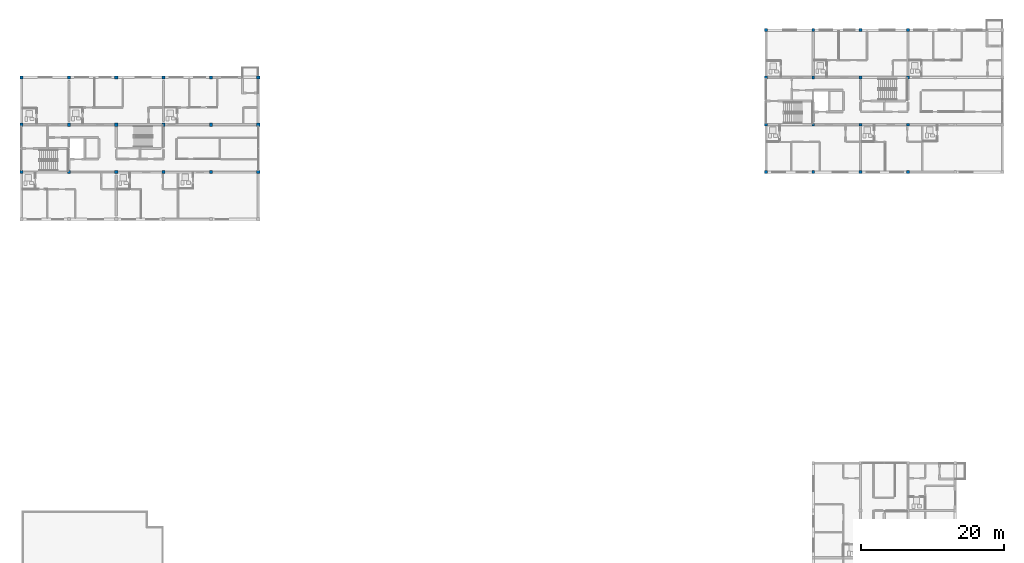
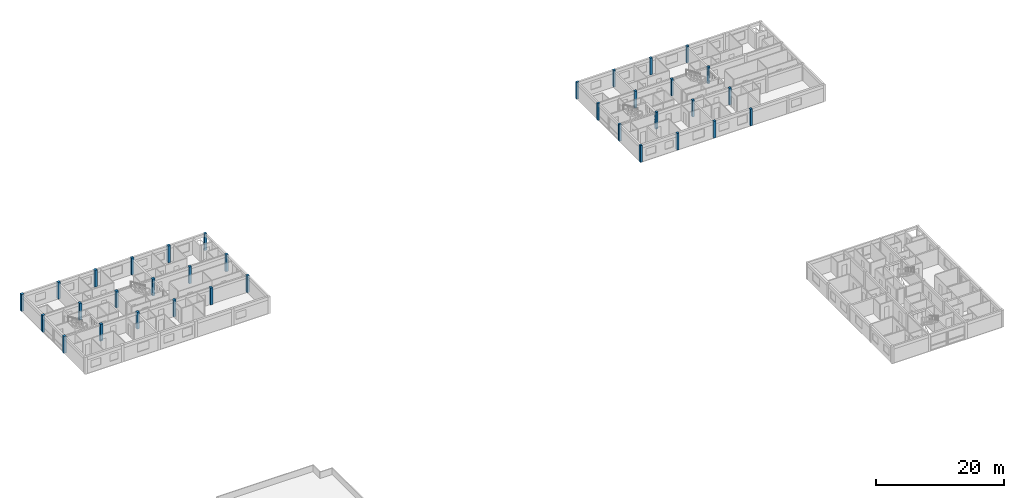
# One storey, part 2 of 34: 34 columns.
"""IFC4 building model written with IfcOpenShell, lengths in metres."""

from ifc_helpers import new_model, si_unit, direction, frame, origin, origin_2d, place, context, subcontext, project, spatial, rectangle, extrude, material, material_profile, profile_set, type_object, element, save


model = new_model("IFC4")

# Units and contexts
model_context = context("Model", 3, precision=1e-05, world=origin(), true_north=direction((0.0, 1.0)))
body_context = subcontext(model_context, "Body", "Model", "MODEL_VIEW")
ifc_project = project(units=[si_unit("LENGTHUNIT", "METRE"), si_unit("AREAUNIT", "SQUARE_METRE"), si_unit("VOLUMEUNIT", "CUBIC_METRE"), si_unit("PLANEANGLEUNIT", "RADIAN"), si_unit("MASSUNIT", "GRAM", prefix="KILO")], contexts=[model_context])

# Site, building, storey
site_placement = place(None, origin())
site = spatial("IfcSite", under=ifc_project, at=site_placement, CompositionType="ELEMENT")
building_placement = place(site_placement, origin())
building = spatial("IfcBuilding", under=site, at=building_placement, Name="Kernevlak Ridge Housing Community", CompositionType="ELEMENT")
storey_placement = place(building_placement, frame((0.0, 0.0, 34.0)))
storey = spatial("IfcBuildingStorey", under=building, at=storey_placement, Name="L10", CompositionType="ELEMENT", Elevation=34.0)

# Columns
ifc_material = material(Name="Concrete C35/45", Category="concrete")
ifc_material_profile_1 = material_profile(ifc_material, rectangle(XDim=0.449951171875, YDim=0.449951171875, at=origin_2d()), Name="RC 450x450")
ifc_profile_set_1 = profile_set([ifc_material_profile_1], Name="Concrete C35/45")
column_type_1 = type_object("IfcColumnType", Name="C-04", PredefinedType="COLUMN", material=ifc_profile_set_1)
for number, where, z_axis, x_axis, name in (
    (1, (15.60009765625, 82.60009765625, 0.0), (0.0, 0.0, 1.0), (1.0, 0.0, 0.0), "Column C-04 COL-A-L10-00-1"),
    (2, (15.60009765625, 89.199951171875, 0.0), (0.0, 0.0, 1.0), (1.0, 0.0, 0.0), "Column C-04 COL-A-L10-00-2"),
    (3, (15.60009765625, 95.800048828125, 0.0), (0.0, 0.0, 1.0), (1.0, 0.0, 0.0), "Column C-04 COL-A-L10-00-3"),
    (4, (22.199951171875, 82.60009765625, 0.0), (0.0, 0.0, 1.0), (1.0, 0.0, 0.0), "Column C-04 COL-A-L10-01-1"),
    (5, (22.199951171875, 89.199951171875, 0.0), (0.0, 0.0, 1.0), (1.0, 0.0, 0.0), "Column C-04 COL-A-L10-01-2"),
    (6, (22.199951171875, 95.800048828125, 0.0), (0.0, 0.0, 1.0), (1.0, 0.0, 0.0), "Column C-04 COL-A-L10-01-3"),
    (7, (28.800048828125, 82.60009765625, 0.0), (0.0, 0.0, 1.0), (1.0, 0.0, 0.0), "Column C-04 COL-A-L10-02-1"),
    (8, (28.800048828125, 89.199951171875, 0.0), (0.0, 0.0, 1.0), (1.0, 0.0, 0.0), "Column C-04 COL-A-L10-02-2"),
    (9, (28.800048828125, 95.800048828125, 0.0), (0.0, 0.0, 1.0), (1.0, 0.0, 0.0), "Column C-04 COL-A-L10-02-3"),
    (10, (35.39990234375, 82.60009765625, 0.0), (0.0, 0.0, 1.0), (1.0, 0.0, 0.0), "Column C-04 COL-A-L10-03-1"),
    (11, (35.39990234375, 89.199951171875, 0.0), (0.0, 0.0, 1.0), (1.0, 0.0, 0.0), "Column C-04 COL-A-L10-03-2"),
    (12, (35.39990234375, 95.800048828125, 0.0), (0.0, 0.0, 1.0), (1.0, 0.0, 0.0), "Column C-04 COL-A-L10-03-3"),
    (13, (42.0, 82.60009765625, 0.0), (0.0, 0.0, 1.0), (1.0, 0.0, 0.0), "Column C-04 COL-A-L10-04-1"),
    (14, (42.0, 89.199951171875, 0.0), (0.0, 0.0, 1.0), (1.0, 0.0, 0.0), "Column C-04 COL-A-L10-04-2"),
    (15, (42.0, 95.800048828125, 0.0), (0.0, 0.0, 1.0), (1.0, 0.0, 0.0), "Column C-04 COL-A-L10-04-3"),
    (16, (48.60009765625, 82.60009765625, 0.0), (0.0, 0.0, 1.0), (1.0, 0.0, 0.0), "Column C-04 COL-A-L10-05-1"),
    (17, (48.60009765625, 89.199951171875, 0.0), (0.0, 0.0, 1.0), (1.0, 0.0, 0.0), "Column C-04 COL-A-L10-05-2"),
    (18, (48.60009765625, 95.800048828125, 0.0), (0.0, 0.0, 1.0), (1.0, 0.0, 0.0), "Column C-04 COL-A-L10-05-3"),
):
    element("IfcColumn", number, at=place(storey_placement, frame(where, z_axis=z_axis, x_axis=x_axis)), inside=storey, type_object=column_type_1, Name=name, PredefinedType="COLUMN", context=body_context, shape_type="SweptSolid", body=[
        extrude(rectangle(XDim=0.449951171875, YDim=0.449951171875, at=origin_2d()), origin(), (0.0, 0.0, 1.0), 3.199951171875),
    ])
ifc_material_profile_2 = material_profile(ifc_material, rectangle(XDim=0.39990234375, YDim=0.39990234375, at=origin_2d()), Name="RC 400x400")
ifc_profile_set_2 = profile_set([ifc_material_profile_2], Name="Concrete C35/45")
column_type_2 = type_object("IfcColumnType", Name="C-05", PredefinedType="COLUMN", material=ifc_profile_set_2)
for number, where, z_axis, x_axis, name in (
    (19, (119.39990234375, 82.60009765625, 0.0), (0.0, 0.0, 1.0), (1.0, 0.0, 0.0), "Column C-05 COL-B-L10-00-0"),
    (20, (119.39990234375, 89.199951171875, 0.0), (0.0, 0.0, 1.0), (1.0, 0.0, 0.0), "Column C-05 COL-B-L10-00-1"),
    (21, (119.39990234375, 95.800048828125, 0.0), (0.0, 0.0, 1.0), (1.0, 0.0, 0.0), "Column C-05 COL-B-L10-00-2"),
    (22, (119.39990234375, 102.39990234375, 0.0), (0.0, 0.0, 1.0), (1.0, 0.0, 0.0), "Column C-05 COL-B-L10-00-3"),
    (23, (126.0, 82.60009765625, 0.0), (0.0, 0.0, 1.0), (1.0, 0.0, 0.0), "Column C-05 COL-B-L10-01-0"),
    (24, (126.0, 89.199951171875, 0.0), (0.0, 0.0, 1.0), (1.0, 0.0, 0.0), "Column C-05 COL-B-L10-01-1"),
    (25, (126.0, 95.800048828125, 0.0), (0.0, 0.0, 1.0), (1.0, 0.0, 0.0), "Column C-05 COL-B-L10-01-2"),
    (26, (126.0, 102.39990234375, 0.0), (0.0, 0.0, 1.0), (1.0, 0.0, 0.0), "Column C-05 COL-B-L10-01-3"),
    (27, (132.60009765625, 82.60009765625, 0.0), (0.0, 0.0, 1.0), (1.0, 0.0, 0.0), "Column C-05 COL-B-L10-02-0"),
    (28, (132.60009765625, 89.199951171875, 0.0), (0.0, 0.0, 1.0), (1.0, 0.0, 0.0), "Column C-05 COL-B-L10-02-1"),
    (29, (132.60009765625, 95.800048828125, 0.0), (0.0, 0.0, 1.0), (1.0, 0.0, 0.0), "Column C-05 COL-B-L10-02-2"),
    (30, (132.60009765625, 102.39990234375, 0.0), (0.0, 0.0, 1.0), (1.0, 0.0, 0.0), "Column C-05 COL-B-L10-02-3"),
    (31, (139.199951171875, 82.60009765625, 0.0), (0.0, 0.0, 1.0), (1.0, 0.0, 0.0), "Column C-05 COL-B-L10-03-0"),
    (32, (139.199951171875, 89.199951171875, 0.0), (0.0, 0.0, 1.0), (1.0, 0.0, 0.0), "Column C-05 COL-B-L10-03-1"),
    (33, (139.199951171875, 95.800048828125, 0.0), (0.0, 0.0, 1.0), (1.0, 0.0, 0.0), "Column C-05 COL-B-L10-03-2"),
    (34, (139.199951171875, 102.39990234375, 0.0), (0.0, 0.0, 1.0), (1.0, 0.0, 0.0), "Column C-05 COL-B-L10-03-3"),
):
    element("IfcColumn", number, at=place(storey_placement, frame(where, z_axis=z_axis, x_axis=x_axis)), inside=storey, type_object=column_type_2, Name=name, PredefinedType="COLUMN", context=body_context, shape_type="SweptSolid", body=[
        extrude(rectangle(XDim=0.39990234375, YDim=0.39990234375, at=origin_2d()), origin(), (0.0, 0.0, 1.0), 3.199951171875),
    ])

save(model, "model.ifc")
